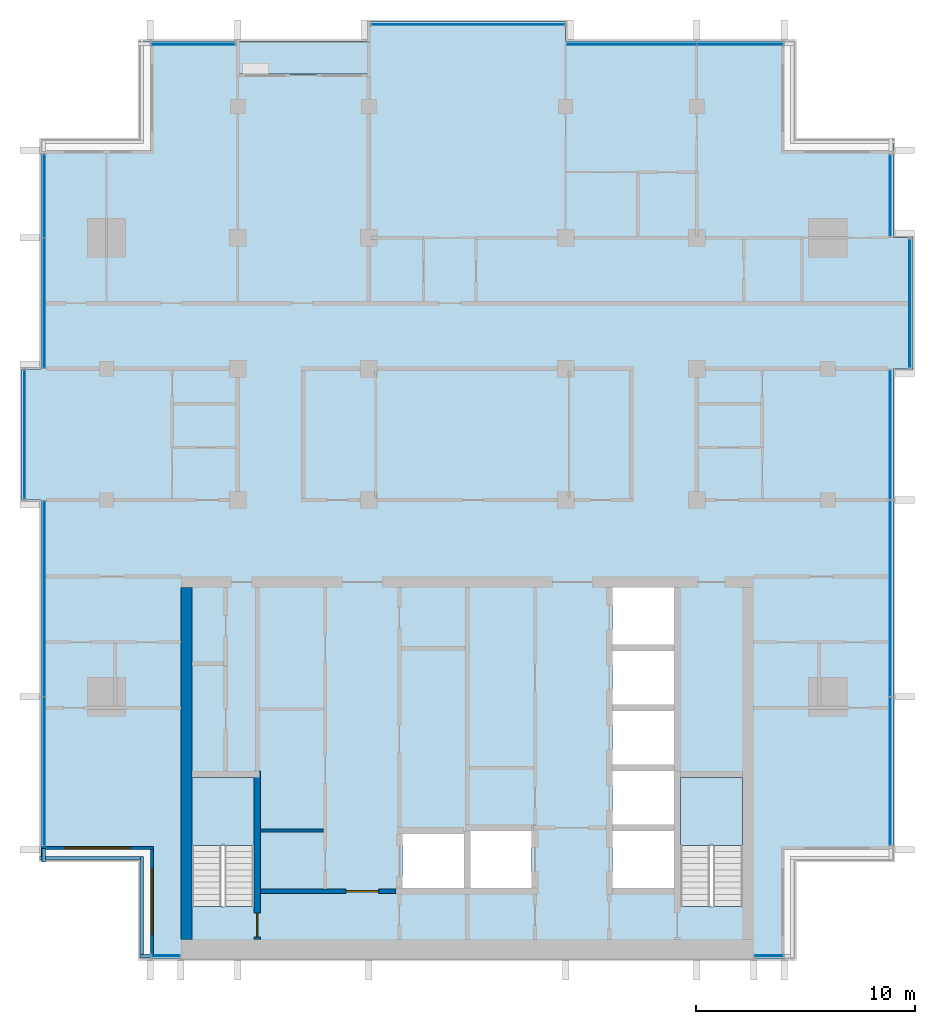
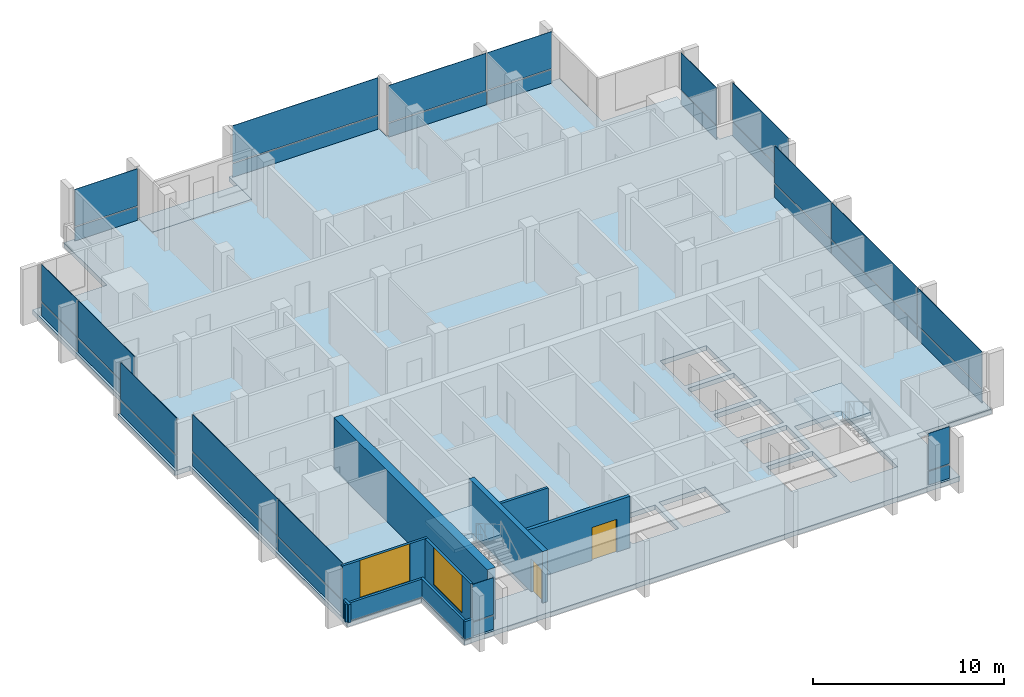
# One storey, part 6 of 16: 32 plates, 10 walls, 4 slabs, 2 doors, 2 windows, 4 openings, 13 elements without a shape of their own.
"""IFC4 building model written with IfcOpenShell, lengths in metres."""

from ifc_helpers import new_model, si_unit, direction, frame, frame_2d, origin, origin_2d, place, context, subcontext, project, spatial, polyline, rectangle, outline, extrude, material, layer, layer_set, type_object, element, fill, aggregate, save


model = new_model("IFC4")

# Units and contexts
model_context = context("Model", 3, precision=1e-05, world=origin(), true_north=direction((0.0, 1.0)))
body_context = subcontext(model_context, "Body", "Model", "MODEL_VIEW")
ifc_project = project(units=[si_unit("LENGTHUNIT", "METRE"), si_unit("AREAUNIT", "SQUARE_METRE"), si_unit("VOLUMEUNIT", "CUBIC_METRE"), si_unit("PLANEANGLEUNIT", "RADIAN"), si_unit("MASSUNIT", "GRAM", prefix="KILO")], contexts=[model_context])

# Site, building, storey
site_placement = place(None, origin())
site = spatial("IfcSite", under=ifc_project, at=site_placement, CompositionType="ELEMENT")
building_placement = place(site_placement, origin())
building = spatial("IfcBuilding", under=site, at=building_placement, Name="Finial Court Residences", CompositionType="ELEMENT")
storey_placement = place(building_placement, frame((0.0, 0.0, 255.5)))
storey = spatial("IfcBuildingStorey", under=building, at=storey_placement, Name="L64", CompositionType="ELEMENT", Elevation=255.5)

# Slab
ifc_material_1 = material(Name="Concrete C35/45", Category="concrete")
ifc_layer_1 = layer(ifc_material_1, 0.199951171875)
ifc_layer_set_1 = layer_set([ifc_layer_1], Name="Balcony slab, Concrete C35/45 200")
slab_type_1 = type_object("IfcSlabType", Name="Balcony slab, Concrete C35/45 200", PredefinedType="FLOOR", material=ifc_layer_set_1)
slab_1_placement = place(storey_placement, frame((0.0, 0.0, -0.199951171875)))
element("IfcSlab", 1, at=slab_1_placement, inside=storey, type_object=slab_type_1, Name="Balcony L64-N2", PredefinedType="FLOOR", context=body_context, shape_type="SweptSolid", body=[
    extrude(outline(polyline([(-4.5, 15.0), (-4.5, 16.5), (-10.5, 16.5), (-10.5, 15.0), (-4.5, 15.0)])), origin(), (0.0, 0.0, 1.0), 0.199951171875),
])

# Curtain wall, plate
ifc_material_2 = material(Name="Bronze anodised aluminium", Category="aluminium")
curtain_wall_type = type_object("IfcCurtainWallType", Name="Unitised curtain wall, upper zones", PredefinedType="NOTDEFINED", material=ifc_material_2)
curtain_wall_1_placement = place(storey_placement, origin())
curtain_wall_1 = element("IfcCurtainWall", 2, at=curtain_wall_1_placement, inside=storey, type_object=curtain_wall_type, Name="E-L64-CW-N1", PredefinedType="NOTDEFINED")
ifc_layer_2 = layer(ifc_material_2, 0.035888671875)
ifc_layer_set_2 = layer_set([ifc_layer_2], Name="CW2 spandrel panel 36")
plate_type_1 = type_object("IfcPlateType", Name="CW2 spandrel panel 36", PredefinedType="CURTAIN_PANEL", material=ifc_layer_set_2)
plate_1_placement = place(storey_placement, frame((-12.53759765625, 16.35009765625, 0.0), z_axis=(0.0, 0.0, 1.0), x_axis=(1.0, 0.0, 0.0)))
plate_1 = element("IfcPlate", 3, at=plate_1_placement, type_object=plate_type_1, Name="CW2 spandrel 1.1", PredefinedType="CURTAIN_PANEL", context=body_context, shape_type="SweptSolid", body=[
    extrude(rectangle(XDim=3.804931640625, YDim=0.035888671875, at=origin_2d()), origin(), (0.0, 0.0, 1.0), 0.8701171875),
])

curtain_wall_2_placement = place(storey_placement, origin())
curtain_wall_2 = element("IfcCurtainWall", 4, at=curtain_wall_2_placement, inside=storey, type_object=curtain_wall_type, Name="E-L64-CW-N2", PredefinedType="NOTDEFINED")
plate_2_placement = place(storey_placement, frame((0.03759765625, 17.25, 0.0), z_axis=(0.0, 0.0, 1.0), x_axis=(1.0, 0.0, 0.0)))
plate_2 = element("IfcPlate", 5, at=plate_2_placement, type_object=plate_type_1, Name="CW2 spandrel 1.1", PredefinedType="CURTAIN_PANEL", context=body_context, shape_type="SweptSolid", body=[
    extrude(rectangle(XDim=8.804931640625, YDim=0.035888671875, at=origin_2d()), origin(), (0.0, 0.0, 1.0), 0.8701171875),
])

# Curtain wall, plates
curtain_wall_3_placement = place(storey_placement, origin())
curtain_wall_3 = element("IfcCurtainWall", 6, at=curtain_wall_3_placement, inside=storey, type_object=curtain_wall_type, Name="E-L64-CW-N3", PredefinedType="NOTDEFINED")
plate_3_placement = place(storey_placement, frame((7.514892578125, 16.35009765625, 0.0), z_axis=(0.0, 0.0, 1.0), x_axis=(1.0, 0.0, 0.0)))
plate_3 = element("IfcPlate", 7, at=plate_3_placement, type_object=plate_type_1, Name="CW2 spandrel 1.1", PredefinedType="CURTAIN_PANEL", context=body_context, shape_type="SweptSolid", body=[
    extrude(rectangle(XDim=5.909912109375, YDim=0.035888671875, at=origin_2d()), origin(), (0.0, 0.0, 1.0), 0.8701171875),
])
plate_4_placement = place(storey_placement, frame((12.485107421875, 16.35009765625, 0.0), z_axis=(0.0, 0.0, 1.0), x_axis=(1.0, 0.0, 0.0)))
plate_4 = element("IfcPlate", 8, at=plate_4_placement, type_object=plate_type_1, Name="CW2 spandrel 2.1", PredefinedType="CURTAIN_PANEL", context=body_context, shape_type="SweptSolid", body=[
    extrude(rectangle(XDim=3.909912109375, YDim=0.035888671875, at=origin_2d()), origin(), (0.0, 0.0, 1.0), 0.8701171875),
])

curtain_wall_4_placement = place(storey_placement, origin())
curtain_wall_4 = element("IfcCurtainWall", 9, at=curtain_wall_4_placement, inside=storey, type_object=curtain_wall_type, Name="E-L64-CW-E4", PredefinedType="NOTDEFINED")
plate_5_placement = place(storey_placement, frame((19.35009765625, -16.909912109375, 0.0), z_axis=(0.0, 0.0, 1.0), x_axis=(0.0, 1.0, 0.0)))
plate_5 = element("IfcPlate", 10, at=plate_5_placement, type_object=plate_type_1, Name="CW2 spandrel 1.1", PredefinedType="CURTAIN_PANEL", context=body_context, shape_type="SweptSolid", body=[
    extrude(rectangle(XDim=6.760009765625, YDim=0.035888671875, at=origin_2d()), origin(), (0.0, 0.0, 1.0), 0.8701171875),
])
plate_6_placement = place(storey_placement, frame((19.35009765625, -9.0, 0.0), z_axis=(0.0, 0.0, 1.0), x_axis=(0.0, 1.0, 0.0)))
plate_6 = element("IfcPlate", 11, at=plate_6_placement, type_object=plate_type_1, Name="CW2 spandrel 2.1", PredefinedType="CURTAIN_PANEL", context=body_context, shape_type="SweptSolid", body=[
    extrude(rectangle(XDim=8.93994140625, YDim=0.035888671875, at=origin_2d()), origin(), (0.0, 0.0, 1.0), 0.8701171875),
])
plate_7_placement = place(storey_placement, frame((19.35009765625, -1.514892578125, 0.0), z_axis=(0.0, 0.0, 1.0), x_axis=(0.0, 1.0, 0.0)))
plate_7 = element("IfcPlate", 12, at=plate_7_placement, type_object=plate_type_1, Name="CW2 spandrel 3.1", PredefinedType="CURTAIN_PANEL", context=body_context, shape_type="SweptSolid", body=[
    extrude(rectangle(XDim=5.909912109375, YDim=0.035888671875, at=origin_2d()), origin(), (0.0, 0.0, 1.0), 0.8701171875),
])

# Curtain wall, plate
curtain_wall_5_placement = place(storey_placement, origin())
curtain_wall_5 = element("IfcCurtainWall", 13, at=curtain_wall_5_placement, inside=storey, type_object=curtain_wall_type, Name="E-L64-CW-E5", PredefinedType="NOTDEFINED")
plate_8_placement = place(storey_placement, frame((20.25, 4.5, 0.0), z_axis=(0.0, 0.0, 1.0), x_axis=(0.0, 1.0, 0.0)))
plate_8 = element("IfcPlate", 14, at=plate_8_placement, type_object=plate_type_1, Name="CW2 spandrel 1.1", PredefinedType="CURTAIN_PANEL", context=body_context, shape_type="SweptSolid", body=[
    extrude(rectangle(XDim=5.8798828125, YDim=0.035888671875, at=origin_2d()), origin(), (0.0, 0.0, 1.0), 0.8701171875),
])

curtain_wall_6_placement = place(storey_placement, origin())
curtain_wall_6 = element("IfcCurtainWall", 15, at=curtain_wall_6_placement, inside=storey, type_object=curtain_wall_type, Name="E-L64-CW-E6", PredefinedType="NOTDEFINED")
plate_9_placement = place(storey_placement, frame((19.35009765625, 9.425048828125, 0.0), z_axis=(0.0, 0.0, 1.0), x_axis=(0.0, 1.0, 0.0)))
plate_9 = element("IfcPlate", 16, at=plate_9_placement, type_object=plate_type_1, Name="CW2 spandrel 1.1", PredefinedType="CURTAIN_PANEL", context=body_context, shape_type="SweptSolid", body=[
    extrude(rectangle(XDim=3.72998046875, YDim=0.035888671875, at=origin_2d()), origin(), (0.0, 0.0, 1.0), 0.8701171875),
])

curtain_wall_7_placement = place(storey_placement, origin())
curtain_wall_7 = element("IfcCurtainWall", 17, at=curtain_wall_7_placement, inside=storey, type_object=curtain_wall_type, Name="E-L64-CW-S7", PredefinedType="NOTDEFINED")
plate_10_placement = place(storey_placement, frame((-13.800048828125, -25.35009765625, 0.0), z_axis=(0.0, 0.0, 1.0), x_axis=(1.0, 0.0, 0.0)))
plate_10 = element("IfcPlate", 18, at=plate_10_placement, type_object=plate_type_1, Name="CW2 spandrel 1.1", PredefinedType="CURTAIN_PANEL", context=body_context, shape_type="SweptSolid", body=[
    extrude(rectangle(XDim=1.280029296875, YDim=0.035888671875, at=origin_2d()), origin(), (0.0, 0.0, 1.0), 0.8701171875),
])

curtain_wall_8_placement = place(storey_placement, origin())
curtain_wall_8 = element("IfcCurtainWall", 19, at=curtain_wall_8_placement, inside=storey, type_object=curtain_wall_type, Name="E-L64-CW-S8", PredefinedType="NOTDEFINED")
plate_11_placement = place(storey_placement, frame((13.800048828125, -25.35009765625, 0.0), z_axis=(0.0, 0.0, 1.0), x_axis=(1.0, 0.0, 0.0)))
plate_11 = element("IfcPlate", 20, at=plate_11_placement, type_object=plate_type_1, Name="CW2 spandrel 1.1", PredefinedType="CURTAIN_PANEL", context=body_context, shape_type="SweptSolid", body=[
    extrude(rectangle(XDim=1.280029296875, YDim=0.035888671875, at=origin_2d()), origin(), (0.0, 0.0, 1.0), 0.8701171875),
])

# Curtain wall, plates
curtain_wall_9_placement = place(storey_placement, origin())
curtain_wall_9 = element("IfcCurtainWall", 21, at=curtain_wall_9_placement, inside=storey, type_object=curtain_wall_type, Name="E-L64-CW-W9", PredefinedType="NOTDEFINED")
plate_12_placement = place(storey_placement, frame((-19.35009765625, -16.909912109375, 0.0), z_axis=(0.0, 0.0, 1.0), x_axis=(0.0, 1.0, 0.0)))
plate_12 = element("IfcPlate", 22, at=plate_12_placement, type_object=plate_type_1, Name="CW2 spandrel 1.1", PredefinedType="CURTAIN_PANEL", context=body_context, shape_type="SweptSolid", body=[
    extrude(rectangle(XDim=6.760009765625, YDim=0.035888671875, at=origin_2d()), origin(), (0.0, 0.0, 1.0), 0.8701171875),
])
plate_13_placement = place(storey_placement, frame((-19.35009765625, -9.014892578125, 0.0), z_axis=(0.0, 0.0, 1.0), x_axis=(0.0, 1.0, 0.0)))
plate_13 = element("IfcPlate", 23, at=plate_13_placement, type_object=plate_type_1, Name="CW2 spandrel 2.1", PredefinedType="CURTAIN_PANEL", context=body_context, shape_type="SweptSolid", body=[
    extrude(rectangle(XDim=8.909912109375, YDim=0.035888671875, at=origin_2d()), origin(), (0.0, 0.0, 1.0), 0.8701171875),
])

# Curtain wall, plate
curtain_wall_10_placement = place(storey_placement, origin())
curtain_wall_10 = element("IfcCurtainWall", 24, at=curtain_wall_10_placement, inside=storey, type_object=curtain_wall_type, Name="E-L64-CW-W10", PredefinedType="NOTDEFINED")
plate_14_placement = place(storey_placement, frame((-20.25, -1.5, 0.0), z_axis=(0.0, 0.0, 1.0), x_axis=(0.0, 1.0, 0.0)))
plate_14 = element("IfcPlate", 25, at=plate_14_placement, type_object=plate_type_1, Name="CW2 spandrel 1.1", PredefinedType="CURTAIN_PANEL", context=body_context, shape_type="SweptSolid", body=[
    extrude(rectangle(XDim=5.8798828125, YDim=0.035888671875, at=origin_2d()), origin(), (0.0, 0.0, 1.0), 0.8701171875),
])

# Curtain wall, plates
curtain_wall_11_placement = place(storey_placement, origin())
curtain_wall_11 = element("IfcCurtainWall", 26, at=curtain_wall_11_placement, inside=storey, type_object=curtain_wall_type, Name="E-L64-CW-W11", PredefinedType="NOTDEFINED")
plate_15_placement = place(storey_placement, frame((-19.35009765625, 4.514892578125, 0.0), z_axis=(0.0, 0.0, 1.0), x_axis=(0.0, 1.0, 0.0)))
plate_15 = element("IfcPlate", 27, at=plate_15_placement, type_object=plate_type_1, Name="CW2 spandrel 1.1", PredefinedType="CURTAIN_PANEL", context=body_context, shape_type="SweptSolid", body=[
    extrude(rectangle(XDim=5.909912109375, YDim=0.035888671875, at=origin_2d()), origin(), (0.0, 0.0, 1.0), 0.8701171875),
])
plate_16_placement = place(storey_placement, frame((-19.35009765625, 9.409912109375, 0.0), z_axis=(0.0, 0.0, 1.0), x_axis=(0.0, 1.0, 0.0)))
plate_16 = element("IfcPlate", 28, at=plate_16_placement, type_object=plate_type_1, Name="CW2 spandrel 2.1", PredefinedType="CURTAIN_PANEL", context=body_context, shape_type="SweptSolid", body=[
    extrude(rectangle(XDim=3.760009765625, YDim=0.035888671875, at=origin_2d()), origin(), (0.0, 0.0, 1.0), 0.8701171875),
])

# Plate
ifc_material_3 = material(Name="Clear low-e glass", Category="glass")
ifc_layer_3 = layer(ifc_material_3, 0.030029296875)
ifc_layer_set_3 = layer_set([ifc_layer_3], Name="CW2 vision glass 30")
plate_type_2 = type_object("IfcPlateType", Name="CW2 vision glass 30", PredefinedType="CURTAIN_PANEL", material=ifc_layer_set_3)
plate_17_placement = place(storey_placement, frame((-12.53759765625, 16.35009765625, 0.929931640625), z_axis=(0.0, 0.0, 1.0), x_axis=(1.0, 0.0, 0.0)))
plate_17 = element("IfcPlate", 29, at=plate_17_placement, type_object=plate_type_2, Name="CW2 glass 1.2", PredefinedType="CURTAIN_PANEL", context=body_context, shape_type="SweptSolid", body=[
    extrude(rectangle(XDim=3.804931640625, YDim=0.030029296875, at=origin_2d()), origin(), (0.0, 0.0, 1.0), 2.3701171875),
])

aggregate(curtain_wall_1, [plate_1, plate_17])

plate_18_placement = place(storey_placement, frame((0.03759765625, 17.25, 0.929931640625), z_axis=(0.0, 0.0, 1.0), x_axis=(1.0, 0.0, 0.0)))
plate_18 = element("IfcPlate", 30, at=plate_18_placement, type_object=plate_type_2, Name="CW2 glass 1.2", PredefinedType="CURTAIN_PANEL", context=body_context, shape_type="SweptSolid", body=[
    extrude(rectangle(XDim=8.804931640625, YDim=0.030029296875, at=origin_2d()), origin(), (0.0, 0.0, 1.0), 2.3701171875),
])

aggregate(curtain_wall_2, [plate_2, plate_18])

plate_19_placement = place(storey_placement, frame((7.514892578125, 16.35009765625, 0.929931640625), z_axis=(0.0, 0.0, 1.0), x_axis=(1.0, 0.0, 0.0)))
plate_19 = element("IfcPlate", 31, at=plate_19_placement, type_object=plate_type_2, Name="CW2 glass 1.2", PredefinedType="CURTAIN_PANEL", context=body_context, shape_type="SweptSolid", body=[
    extrude(rectangle(XDim=5.909912109375, YDim=0.030029296875, at=origin_2d()), origin(), (0.0, 0.0, 1.0), 2.3701171875),
])

plate_20_placement = place(storey_placement, frame((12.485107421875, 16.35009765625, 0.929931640625), z_axis=(0.0, 0.0, 1.0), x_axis=(1.0, 0.0, 0.0)))
plate_20 = element("IfcPlate", 32, at=plate_20_placement, type_object=plate_type_2, Name="CW2 glass 2.2", PredefinedType="CURTAIN_PANEL", context=body_context, shape_type="SweptSolid", body=[
    extrude(rectangle(XDim=3.909912109375, YDim=0.030029296875, at=origin_2d()), origin(), (0.0, 0.0, 1.0), 2.3701171875),
])

aggregate(curtain_wall_3, [plate_3, plate_19, plate_4, plate_20])

plate_21_placement = place(storey_placement, frame((19.35009765625, -16.909912109375, 0.929931640625), z_axis=(0.0, 0.0, 1.0), x_axis=(0.0, 1.0, 0.0)))
plate_21 = element("IfcPlate", 33, at=plate_21_placement, type_object=plate_type_2, Name="CW2 glass 1.2", PredefinedType="CURTAIN_PANEL", context=body_context, shape_type="SweptSolid", body=[
    extrude(rectangle(XDim=6.760009765625, YDim=0.030029296875, at=origin_2d()), origin(), (0.0, 0.0, 1.0), 2.3701171875),
])

plate_22_placement = place(storey_placement, frame((19.35009765625, -9.0, 0.929931640625), z_axis=(0.0, 0.0, 1.0), x_axis=(0.0, 1.0, 0.0)))
plate_22 = element("IfcPlate", 34, at=plate_22_placement, type_object=plate_type_2, Name="CW2 glass 2.2", PredefinedType="CURTAIN_PANEL", context=body_context, shape_type="SweptSolid", body=[
    extrude(rectangle(XDim=8.93994140625, YDim=0.030029296875, at=origin_2d()), origin(), (0.0, 0.0, 1.0), 2.3701171875),
])

plate_23_placement = place(storey_placement, frame((19.35009765625, -1.514892578125, 0.929931640625), z_axis=(0.0, 0.0, 1.0), x_axis=(0.0, 1.0, 0.0)))
plate_23 = element("IfcPlate", 35, at=plate_23_placement, type_object=plate_type_2, Name="CW2 glass 3.2", PredefinedType="CURTAIN_PANEL", context=body_context, shape_type="SweptSolid", body=[
    extrude(rectangle(XDim=5.909912109375, YDim=0.030029296875, at=origin_2d()), origin(), (0.0, 0.0, 1.0), 2.3701171875),
])

aggregate(curtain_wall_4, [plate_5, plate_21, plate_6, plate_22, plate_7, plate_23])

plate_24_placement = place(storey_placement, frame((20.25, 4.5, 0.93017578125), z_axis=(0.0, 0.0, 1.0), x_axis=(0.0, 1.0, 0.0)))
plate_24 = element("IfcPlate", 36, at=plate_24_placement, type_object=plate_type_2, Name="CW2 glass 1.2", PredefinedType="CURTAIN_PANEL", context=body_context, shape_type="SweptSolid", body=[
    extrude(rectangle(XDim=5.8798828125, YDim=0.030029296875, at=origin_2d()), origin(), (0.0, 0.0, 1.0), 2.469970703125),
])

aggregate(curtain_wall_5, [plate_8, plate_24])

plate_25_placement = place(storey_placement, frame((19.35009765625, 9.425048828125, 0.929931640625), z_axis=(0.0, 0.0, 1.0), x_axis=(0.0, 1.0, 0.0)))
plate_25 = element("IfcPlate", 37, at=plate_25_placement, type_object=plate_type_2, Name="CW2 glass 1.2", PredefinedType="CURTAIN_PANEL", context=body_context, shape_type="SweptSolid", body=[
    extrude(rectangle(XDim=3.72998046875, YDim=0.030029296875, at=origin_2d()), origin(), (0.0, 0.0, 1.0), 2.3701171875),
])

aggregate(curtain_wall_6, [plate_9, plate_25])

plate_26_placement = place(storey_placement, frame((-13.800048828125, -25.35009765625, 0.929931640625), z_axis=(0.0, 0.0, 1.0), x_axis=(1.0, 0.0, 0.0)))
plate_26 = element("IfcPlate", 38, at=plate_26_placement, type_object=plate_type_2, Name="CW2 glass 1.2", PredefinedType="CURTAIN_PANEL", context=body_context, shape_type="SweptSolid", body=[
    extrude(rectangle(XDim=1.280029296875, YDim=0.030029296875, at=origin_2d()), origin(), (0.0, 0.0, 1.0), 2.3701171875),
])

aggregate(curtain_wall_7, [plate_10, plate_26])

plate_27_placement = place(storey_placement, frame((13.800048828125, -25.35009765625, 0.929931640625), z_axis=(0.0, 0.0, 1.0), x_axis=(1.0, 0.0, 0.0)))
plate_27 = element("IfcPlate", 39, at=plate_27_placement, type_object=plate_type_2, Name="CW2 glass 1.2", PredefinedType="CURTAIN_PANEL", context=body_context, shape_type="SweptSolid", body=[
    extrude(rectangle(XDim=1.280029296875, YDim=0.030029296875, at=origin_2d()), origin(), (0.0, 0.0, 1.0), 2.3701171875),
])

aggregate(curtain_wall_8, [plate_11, plate_27])

plate_28_placement = place(storey_placement, frame((-19.35009765625, -16.909912109375, 0.929931640625), z_axis=(0.0, 0.0, 1.0), x_axis=(0.0, 1.0, 0.0)))
plate_28 = element("IfcPlate", 40, at=plate_28_placement, type_object=plate_type_2, Name="CW2 glass 1.2", PredefinedType="CURTAIN_PANEL", context=body_context, shape_type="SweptSolid", body=[
    extrude(rectangle(XDim=6.760009765625, YDim=0.030029296875, at=origin_2d()), origin(), (0.0, 0.0, 1.0), 2.3701171875),
])

plate_29_placement = place(storey_placement, frame((-19.35009765625, -9.014892578125, 0.929931640625), z_axis=(0.0, 0.0, 1.0), x_axis=(0.0, 1.0, 0.0)))
plate_29 = element("IfcPlate", 41, at=plate_29_placement, type_object=plate_type_2, Name="CW2 glass 2.2", PredefinedType="CURTAIN_PANEL", context=body_context, shape_type="SweptSolid", body=[
    extrude(rectangle(XDim=8.909912109375, YDim=0.030029296875, at=origin_2d()), origin(), (0.0, 0.0, 1.0), 2.3701171875),
])

aggregate(curtain_wall_9, [plate_12, plate_28, plate_13, plate_29])

plate_30_placement = place(storey_placement, frame((-20.25, -1.5, 0.929931640625), z_axis=(0.0, 0.0, 1.0), x_axis=(0.0, 1.0, 0.0)))
plate_30 = element("IfcPlate", 42, at=plate_30_placement, type_object=plate_type_2, Name="CW2 glass 1.2", PredefinedType="CURTAIN_PANEL", context=body_context, shape_type="SweptSolid", body=[
    extrude(rectangle(XDim=5.8798828125, YDim=0.030029296875, at=origin_2d()), origin(), (0.0, 0.0, 1.0), 2.3701171875),
])

aggregate(curtain_wall_10, [plate_14, plate_30])

plate_31_placement = place(storey_placement, frame((-19.35009765625, 4.514892578125, 0.929931640625), z_axis=(0.0, 0.0, 1.0), x_axis=(0.0, 1.0, 0.0)))
plate_31 = element("IfcPlate", 43, at=plate_31_placement, type_object=plate_type_2, Name="CW2 glass 1.2", PredefinedType="CURTAIN_PANEL", context=body_context, shape_type="SweptSolid", body=[
    extrude(rectangle(XDim=5.909912109375, YDim=0.030029296875, at=origin_2d()), origin(), (0.0, 0.0, 1.0), 2.3701171875),
])

plate_32_placement = place(storey_placement, frame((-19.35009765625, 9.409912109375, 0.929931640625), z_axis=(0.0, 0.0, 1.0), x_axis=(0.0, 1.0, 0.0)))
plate_32 = element("IfcPlate", 44, at=plate_32_placement, type_object=plate_type_2, Name="CW2 glass 2.2", PredefinedType="CURTAIN_PANEL", context=body_context, shape_type="SweptSolid", body=[
    extrude(rectangle(XDim=3.760009765625, YDim=0.030029296875, at=origin_2d()), origin(), (0.0, 0.0, 1.0), 2.3701171875),
])

aggregate(curtain_wall_11, [plate_15, plate_31, plate_16, plate_32])

# Stair, slab
ifc_material_4 = material(Name="Concrete C50/60", Category="concrete")
stair_type = type_object("IfcStairType", Name="Exit stair 22 risers of 163.6 mm", PredefinedType="HALF_TURN_STAIR", material=ifc_material_4)
stair_1_placement = place(storey_placement, origin())
stair_1 = element("IfcStair", 45, at=stair_1_placement, inside=storey, type_object=stair_type, Name="L64 Exit stair ST-1", PredefinedType="HALF_TURN_STAIR")
ifc_layer_4 = layer(ifc_material_4, 0.199951171875)
ifc_layer_set_4 = layer_set([ifc_layer_4], Name="Exit stair landing")
slab_type_2 = type_object("IfcSlabType", Name="Exit stair landing", PredefinedType="LANDING", material=ifc_layer_set_4)
slab_2_placement = place(storey_placement, frame((0.0, 0.0, 1.60009765625)))
slab_2 = element("IfcSlab", 46, at=slab_2_placement, type_object=slab_type_2, Name="ST-1 landing 1", PredefinedType="LANDING", context=body_context, shape_type="SweptSolid", body=[
    extrude(outline(polyline([(-9.75, -20.300048828125), (-9.75, -17.199951171875), (-12.60009765625, -17.199951171875), (-12.60009765625, -20.300048828125), (-9.75, -20.300048828125)])), origin(), (0.0, 0.0, 1.0), 0.199951171875),
])
aggregate(stair_1, [slab_2])

stair_2_placement = place(storey_placement, origin())
stair_2 = element("IfcStair", 47, at=stair_2_placement, inside=storey, type_object=stair_type, Name="L64 Exit stair ST-2", PredefinedType="HALF_TURN_STAIR")
slab_3_placement = place(storey_placement, frame((0.0, 0.0, 1.60009765625)))
slab_3 = element("IfcSlab", 48, at=slab_3_placement, type_object=slab_type_2, Name="ST-2 landing 1", PredefinedType="LANDING", context=body_context, shape_type="SweptSolid", body=[
    extrude(outline(polyline([(12.60009765625, -20.300048828125), (12.60009765625, -17.199951171875), (9.75, -17.199951171875), (9.75, -20.300048828125), (12.60009765625, -20.300048828125)])), origin(), (0.0, 0.0, 1.0), 0.199951171875),
])
aggregate(stair_2, [slab_3])

# Slab
ifc_material_5 = material(Name="Concrete C40/50", Category="concrete")
ifc_layer_5 = layer(ifc_material_5, 0.300048828125)
ifc_layer_set_5 = layer_set([ifc_layer_5], Name="Flat plate slab 300 Concrete C40/50")
slab_type_3 = type_object("IfcSlabType", Name="Flat plate slab 300 Concrete C40/50", PredefinedType="FLOOR", material=ifc_layer_set_5)
slab_4_placement = place(storey_placement, frame((0.0, 0.0, -0.300048828125)))
element("IfcSlab", 49, at=slab_4_placement, inside=storey, type_object=slab_type_3, Name="S:SLAB:L64", PredefinedType="FLOOR", context=body_context, shape_type="SweptSolid", body=[
    extrude(outline(polyline([(-15.0, -25.5), (-15.0, -21.0), (-19.5, -21.0), (-19.5, -20.5), (-19.5, -4.5), (-20.39990234375, -4.5), (-20.39990234375, 1.5), (-19.5, 1.5), (-19.5, 11.5), (-19.5, 12.0), (-15.0, 12.0), (-15.0, 16.5), (-14.5, 16.5), (-10.5, 16.5), (-10.5, 15.0), (-4.5, 15.0), (-4.5, 16.5), (-4.5, 17.39990234375), (4.5, 17.39990234375), (4.5, 16.5), (14.5, 16.5), (15.0, 16.5), (15.0, 12.0), (19.5, 12.0), (19.5, 11.5), (19.5, 7.5), (20.39990234375, 7.5), (20.39990234375, 1.5), (19.5, 1.5), (19.5, -20.5), (19.5, -21.0), (15.0, -21.0), (15.0, -25.5), (14.5, -25.5), (-14.5, -25.5), (-15.0, -25.5)]), holes=[polyline([(-0.14990234375, -19.77001953125), (-2.949951171875, -19.77001953125), (-2.949951171875, -22.25), (-0.14990234375, -22.25), (-0.14990234375, -19.77001953125)]), polyline([(2.949951171875, -19.64990234375), (0.14990234375, -19.64990234375), (0.14990234375, -22.25), (2.949951171875, -22.25), (2.949951171875, -19.64990234375)]), polyline([(9.449951171875, -19.64990234375), (6.64990234375, -19.64990234375), (6.64990234375, -22.25), (9.449951171875, -22.25), (9.449951171875, -19.64990234375)]), polyline([(-12.60009765625, -17.199951171875), (-12.60009765625, -23.09912109375), (-9.75, -23.09912109375), (-9.75, -17.199951171875), (-12.60009765625, -17.199951171875)]), polyline([(9.75, -17.199951171875), (9.75, -23.09912109375), (12.60009765625, -23.09912109375), (12.60009765625, -17.199951171875), (9.75, -17.199951171875)]), polyline([(9.449951171875, -16.89990234375), (6.64990234375, -16.89990234375), (6.64990234375, -19.35009765625), (9.449951171875, -19.35009765625), (9.449951171875, -16.89990234375)]), polyline([(9.449951171875, -14.14990234375), (6.64990234375, -14.14990234375), (6.64990234375, -16.60009765625), (9.449951171875, -16.60009765625), (9.449951171875, -14.14990234375)]), polyline([(9.449951171875, -13.85009765625), (9.449951171875, -11.39990234375), (6.64990234375, -11.39990234375), (6.64990234375, -13.85009765625), (9.449951171875, -13.85009765625)]), polyline([(9.449951171875, -11.10009765625), (9.449951171875, -8.5), (6.64990234375, -8.5), (6.64990234375, -11.10009765625), (9.449951171875, -11.10009765625)])]), origin(), (0.0, 0.0, 1.0), 0.300048828125),
])

# Walls
ifc_layer_6 = layer(ifc_material_4, 0.5)
ifc_layer_set_6 = layer_set([ifc_layer_6], Name="Core outer wall 500 Concrete C50/60")
wall_type_1 = type_object("IfcWallType", Name="Core outer wall 500 Concrete C50/60", PredefinedType="SHEAR", material=ifc_layer_set_6)
wall_1_placement = place(storey_placement, frame((-12.85009765625, -24.60009765625, 0.0), z_axis=(0.0, 0.0, 1.0), x_axis=(0.0, 1.0, 0.0)))
element("IfcWall", 50, at=wall_1_placement, inside=storey, type_object=wall_type_1, Name="Core outer wall L64-03", PredefinedType="SHEAR", context=body_context, shape_type="SweptSolid", body=[
    extrude(rectangle(XDim=16.10009765625, YDim=0.5, at=frame_2d((8.050048828125, 0.0))), origin(), (0.0, 0.0, 1.0), 3.300048828125),
])
ifc_material_6 = material(Name="Fire-rated gypsum board partition")
ifc_layer_7 = layer(ifc_material_6, 0.14990234375)
ifc_layer_set_7 = layer_set([ifc_layer_7], Name="Core room partition 150 EI 60")
wall_type_2 = type_object("IfcWallType", Name="Core room partition 150 EI 60", PredefinedType="PARTITIONING", material=ifc_layer_set_7)
wall_2_placement = place(storey_placement, frame((-9.449951171875, -19.6201171875, 0.0), z_axis=(0.0, 0.0, 1.0), x_axis=(1.0, 0.0, 0.0)))
element("IfcWall", 51, at=wall_2_placement, inside=storey, type_object=wall_type_2, Name="Core partition L64-04", PredefinedType="PARTITIONING", context=body_context, shape_type="SweptSolid", body=[
    extrude(rectangle(XDim=2.875, YDim=0.14990234375, at=frame_2d((1.4375, 0.0))), origin(), (0.0, 0.0, 1.0), 3.300048828125),
])
ifc_layer_8 = layer(ifc_material_1, 0.14990234375)
ifc_layer_set_8 = layer_set([ifc_layer_8], Name="Ledge parapet, Concrete C35/45 150")
wall_type_3 = type_object("IfcWallType", Name="Ledge parapet, Concrete C35/45 150", PredefinedType="PARAPET", material=ifc_layer_set_8)
wall_3_placement = place(storey_placement, frame((-19.375, -21.0625, 0.0), z_axis=(0.0, 0.0, 1.0), x_axis=(0.0, 1.0, 0.0)))
element("IfcWall", 52, at=wall_3_placement, inside=storey, type_object=wall_type_3, Name="E-L64-LED2-P1", PredefinedType="PARAPET", context=body_context, shape_type="SweptSolid", body=[
    extrude(rectangle(XDim=0.614990234375, YDim=0.14990234375, at=frame_2d((0.3076171875, 0.0))), origin(), (0.0, 0.0, 1.0), 1.14990234375),
])
wall_4_placement = place(storey_placement, frame((-14.447509765625, -25.375, 0.0), z_axis=(0.0, 0.0, 1.0), x_axis=(-1.0, 0.0, 0.0)))
element("IfcWall", 53, at=wall_4_placement, inside=storey, type_object=wall_type_3, Name="E-L64-LED2-P2", PredefinedType="PARAPET", context=body_context, shape_type="SweptSolid", body=[
    extrude(rectangle(XDim=0.50244140625, YDim=0.14990234375, at=frame_2d((0.251220703125, 0.0))), origin(), (0.0, 0.0, 1.0), 1.14990234375),
])
wall_5_placement = place(storey_placement, frame((-14.875, -25.300048828125, 0.0), z_axis=(0.0, 0.0, 1.0), x_axis=(0.0, 1.0, 0.0)))
element("IfcWall", 54, at=wall_5_placement, inside=storey, type_object=wall_type_3, Name="E-L64-LED2-P3", PredefinedType="PARAPET", context=body_context, shape_type="SweptSolid", body=[
    extrude(rectangle(XDim=4.5, YDim=0.14990234375, at=frame_2d((2.25, 0.0))), origin(), (0.0, 0.0, 1.0), 1.14990234375),
])
wall_6_placement = place(storey_placement, frame((-14.949951171875, -20.875, 0.0), z_axis=(0.0, 0.0, 1.0), x_axis=(-1.0, 0.0, 0.0)))
element("IfcWall", 55, at=wall_6_placement, inside=storey, type_object=wall_type_3, Name="E-L64-LED2-P4", PredefinedType="PARAPET", context=body_context, shape_type="SweptSolid", body=[
    extrude(rectangle(XDim=4.612548828125, YDim=0.14990234375, at=frame_2d((2.30615234375, 0.0))), origin(), (0.0, 0.0, 1.0), 1.14990234375),
])

# Wall, opening, door
ifc_layer_9 = layer(ifc_material_4, 0.300048828125)
ifc_layer_set_9 = layer_set([ifc_layer_9], Name="Lift shaft and stair wall 300 Concrete C50/60")
wall_type_4 = type_object("IfcWallType", Name="Lift shaft and stair wall 300 Concrete C50/60", PredefinedType="SHEAR", material=ifc_layer_set_9)
wall_7_placement = place(storey_placement, frame((-9.60009765625, -24.60009765625, 0.0), z_axis=(0.0, 0.0, 1.0), x_axis=(0.0, 1.0, 0.0)))
wall_7 = element("IfcWall", 56, at=wall_7_placement, inside=storey, type_object=wall_type_4, Name="Core wall L64-20", PredefinedType="SHEAR", context=body_context, shape_type="SweptSolid", body=[
    extrude(rectangle(XDim=7.7001953125, YDim=0.300048828125, at=frame_2d((3.85009765625, 0.0))), origin(), (0.0, 0.0, 1.0), 3.300048828125),
])
opening_1_placement = place(wall_7_placement, frame((0.10009765625, 0.0, 0.0)))
opening_1 = element("IfcOpeningElement", 57, at=opening_1_placement, cuts=wall_7, Name="Opening L64-C19", PredefinedType="OPENING", context=body_context, shape_type="SweptSolid", body=[
    extrude(rectangle(XDim=1.10009765625, YDim=2.10009765625, at=frame_2d((0.550048828125, 1.050048828125))), frame((0.0, 0.159912109375, 0.0), z_axis=(0.0, -1.0, 0.0), x_axis=(1.0, 0.0, 0.0)), (0.0, 0.0, 1.0), 0.320068359375),
])
ifc_material_7 = material(Name="Steel fire door", Category="steel")
door_type_1 = type_object("IfcDoorType", Name="Stair door 1100 x 2100 EI 90", OperationType="NOTDEFINED", PredefinedType="DOOR", material=ifc_material_7)
door_1_placement = place(opening_1_placement, origin())
door_1 = element("IfcDoor", 58, at=door_1_placement, inside=storey, type_object=door_type_1, Name="Stair door L64-C19", OperationType="SINGLE_SWING_LEFT", OverallHeight=2.10009765625, OverallWidth=1.10009765625, PredefinedType="DOOR", context=body_context, shape_type="SweptSolid", body=[
    extrude(rectangle(XDim=1.10009765625, YDim=2.10009765625, at=frame_2d((0.550048828125, 1.050048828125))), frame((0.0, 0.02490234375, 0.0), z_axis=(0.0, -1.0, 0.0), x_axis=(1.0, 0.0, 0.0)), (0.0, 0.0, 1.0), 0.050048828125),
])
fill(opening_1, door_1)

# Wall, opening, window
ifc_material_8 = material(Name="Natural limestone", Category="masonry")
ifc_layer_10 = layer(ifc_material_8, 0.14990234375)
ifc_layer_set_10 = layer_set([ifc_layer_10], Name="Limestone clad wall 150")
wall_type_5 = type_object("IfcWallType", Name="Limestone clad wall 150", PredefinedType="SOLIDWALL", material=ifc_layer_set_10)
wall_8_placement = place(storey_placement, frame((-14.425048828125, -25.262451171875, 0.0), z_axis=(0.0, 0.0, 1.0), x_axis=(0.0, 1.0, 0.0)))
wall_8 = element("IfcWall", 59, at=wall_8_placement, inside=storey, type_object=wall_type_5, Name="E-L64-NWW12", PredefinedType="SOLIDWALL", context=body_context, shape_type="SweptSolid", body=[
    extrude(rectangle(XDim=4.762451171875, YDim=0.14990234375, at=frame_2d((2.38134765625, 0.0))), origin(), (0.0, 0.0, 1.0), 3.300048828125),
])
opening_2_placement = place(wall_8_placement, frame((0.881103515625, 0.0, 0.89990234375)))
opening_2 = element("IfcOpeningElement", 60, at=opening_2_placement, cuts=wall_8, Name="Opening WE64-01", PredefinedType="OPENING", context=body_context, shape_type="SweptSolid", body=[
    extrude(rectangle(XDim=3.0, YDim=2.39990234375, at=frame_2d((1.5, 1.199951171875))), frame((0.0, 0.0849609375, 0.0), z_axis=(0.0, -1.0, 0.0), x_axis=(1.0, 0.0, 0.0)), (0.0, 0.0, 1.0), 0.169921875),
])
window_type = type_object("IfcWindowType", Name="Corner window 3000 x 2400", PartitioningType="SINGLE_PANEL", PredefinedType="WINDOW", material=ifc_material_3)
window_1_placement = place(opening_2_placement, origin())
window_1 = element("IfcWindow", 61, at=window_1_placement, inside=storey, type_object=window_type, Name="E-L64-NWW12-W1", OverallHeight=2.39990234375, OverallWidth=3.0, PartitioningType="SINGLE_PANEL", PredefinedType="WINDOW", context=body_context, shape_type="SweptSolid", body=[
    extrude(rectangle(XDim=3.0, YDim=2.39990234375, at=frame_2d((1.5, 1.199951171875))), frame((0.0, 0.030029296875, 0.0), z_axis=(0.0, -1.0, 0.0), x_axis=(1.0, 0.0, 0.0)), (0.0, 0.0, 1.0), 0.06005859375),
])
fill(opening_2, window_1)

wall_9_placement = place(storey_placement, frame((-14.35009765625, -20.425048828125, 0.0), z_axis=(0.0, 0.0, 1.0), x_axis=(-1.0, 0.0, 0.0)))
wall_9 = element("IfcWall", 62, at=wall_9_placement, inside=storey, type_object=wall_type_5, Name="E-L64-NWS13", PredefinedType="SOLIDWALL", context=body_context, shape_type="SweptSolid", body=[
    extrude(rectangle(XDim=5.14990234375, YDim=0.14990234375, at=frame_2d((2.574951171875, 0.0))), origin(), (0.0, 0.0, 1.0), 3.300048828125),
])
opening_3_placement = place(wall_9_placement, frame((1.074951171875, 0.0, 0.89990234375)))
opening_3 = element("IfcOpeningElement", 63, at=opening_3_placement, cuts=wall_9, Name="Opening WE64-02", PredefinedType="OPENING", context=body_context, shape_type="SweptSolid", body=[
    extrude(rectangle(XDim=3.0, YDim=2.39990234375, at=frame_2d((1.5, 1.199951171875))), frame((0.0, 0.0849609375, 0.0), z_axis=(0.0, -1.0, 0.0), x_axis=(1.0, 0.0, 0.0)), (0.0, 0.0, 1.0), 0.169921875),
])
window_2_placement = place(opening_3_placement, origin())
window_2 = element("IfcWindow", 64, at=window_2_placement, inside=storey, type_object=window_type, Name="E-L64-NWS13-W1", OverallHeight=2.39990234375, OverallWidth=3.0, PartitioningType="SINGLE_PANEL", PredefinedType="WINDOW", context=body_context, shape_type="SweptSolid", body=[
    extrude(rectangle(XDim=3.0, YDim=2.39990234375, at=frame_2d((1.5, 1.199951171875))), frame((0.0, 0.030029296875, 0.0), z_axis=(0.0, -1.0, 0.0), x_axis=(1.0, 0.0, 0.0)), (0.0, 0.0, 1.0), 0.06005859375),
])
fill(opening_3, window_2)

# Wall, opening, door
ifc_layer_11 = layer(ifc_material_6, 0.199951171875)
ifc_layer_set_11 = layer_set([ifc_layer_11], Name="Stair passage wall 200 EI 180")
wall_type_6 = type_object("IfcWallType", Name="Stair passage wall 200 EI 180", PredefinedType="PARTITIONING", material=ifc_layer_set_11)
wall_10_placement = place(storey_placement, frame((-3.25, -22.39990234375, 0.0), z_axis=(0.0, 0.0, 1.0), x_axis=(-1.0, 0.0, 0.0)))
wall_10 = element("IfcWall", 65, at=wall_10_placement, inside=storey, type_object=wall_type_6, Name="Core partition L64-01", PredefinedType="PARTITIONING", context=body_context, shape_type="SweptSolid", body=[
    extrude(rectangle(XDim=6.199951171875, YDim=0.199951171875, at=frame_2d((3.10009765625, 0.0))), origin(), (0.0, 0.0, 1.0), 3.300048828125),
])
opening_4_placement = place(wall_10_placement, frame((0.800048828125, 0.0, 0.0)))
opening_4 = element("IfcOpeningElement", 66, at=opening_4_placement, cuts=wall_10, Name="Opening L64-C03", PredefinedType="OPENING", context=body_context, shape_type="SweptSolid", body=[
    extrude(rectangle(XDim=1.5, YDim=2.10009765625, at=frame_2d((0.75, 1.050048828125))), frame((0.0, 0.10986328125, 0.0), z_axis=(0.0, -1.0, 0.0), x_axis=(1.0, 0.0, 0.0)), (0.0, 0.0, 1.0), 0.219970703125),
])
door_type_2 = type_object("IfcDoorType", Name="Lift lobby door 1500 x 2100 EI 60", OperationType="DOUBLE_DOOR_SINGLE_SWING", PredefinedType="DOOR", material=ifc_material_7)
door_2_placement = place(opening_4_placement, origin())
door_2 = element("IfcDoor", 67, at=door_2_placement, inside=storey, type_object=door_type_2, Name="Lift lobby door L64-C03", OperationType="DOUBLE_DOOR_SINGLE_SWING", OverallHeight=2.10009765625, OverallWidth=1.5, PredefinedType="DOOR", context=body_context, shape_type="SweptSolid", body=[
    extrude(rectangle(XDim=1.5, YDim=2.10009765625, at=frame_2d((0.75, 1.050048828125))), frame((0.0, 0.02490234375, 0.0), z_axis=(0.0, -1.0, 0.0), x_axis=(1.0, 0.0, 0.0)), (0.0, 0.0, 1.0), 0.050048828125),
])
fill(opening_4, door_2)

save(model, "model.ifc")
